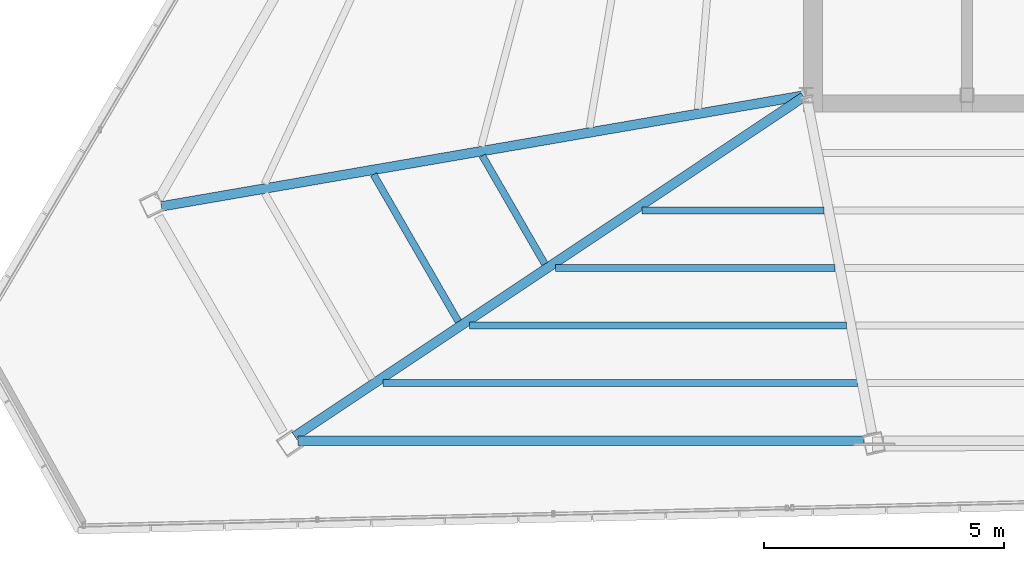
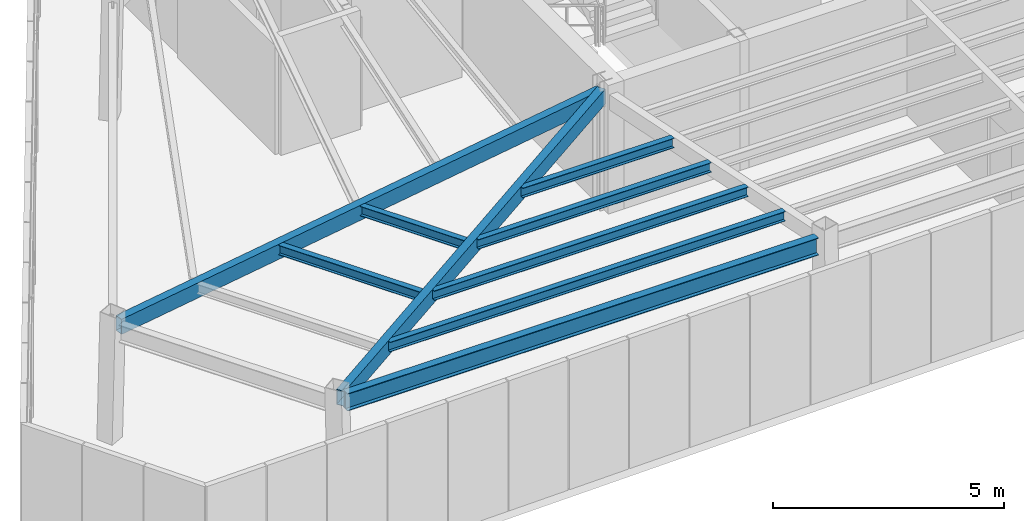
# One storey, part 6 of 44: 9 beams.
"""IFC4 building model written with IfcOpenShell, lengths in metres."""

from ifc_helpers import new_model, si_unit, direction, frame, origin, origin_2d, place, context, subcontext, project, spatial, hollow_rectangle, i_section, extrude, source, transform, mapped, material, material_profile, profile_set, type_object, type_shapes, element, save


model = new_model("IFC4")

# Units and contexts
model_context = context("Model", 3, precision=1e-05, world=origin(), true_north=direction((0.0, 1.0)))
body_context = subcontext(model_context, "Body", "Model", "MODEL_VIEW")
ifc_project = project(units=[si_unit("LENGTHUNIT", "METRE"), si_unit("AREAUNIT", "SQUARE_METRE"), si_unit("VOLUMEUNIT", "CUBIC_METRE"), si_unit("PLANEANGLEUNIT", "RADIAN"), si_unit("MASSUNIT", "GRAM", prefix="KILO")], contexts=[model_context])

# Site, building, storey
site_placement = place(None, origin())
site = spatial("IfcSite", under=ifc_project, at=site_placement, CompositionType="ELEMENT")
building_placement = place(site_placement, origin())
building = spatial("IfcBuilding", under=site, at=building_placement, Name="Caelisora Broadcast Tower", CompositionType="ELEMENT")
storey_placement = place(building_placement, frame((0.0, 0.0, 296.60009765625)))
storey = spatial("IfcBuildingStorey", under=building, at=storey_placement, Name="L78", CompositionType="ELEMENT", Elevation=296.60009765625)

# Beams
ifc_material_1 = material(Name="Steel Grade 350 (AS/NZS 3679.1)", Category="steel")
ifc_material_profile_1 = material_profile(ifc_material_1, i_section(OverallWidth=0.19091796875, OverallDepth=0.46044921875, WebThickness=0.010009765625, FlangeThickness=0.01611328125, at=origin_2d()), Name="Steel Grade 350 (AS/NZS 3679.1)")
ifc_profile_set_1 = profile_set([ifc_material_profile_1], Name="Steel Grade 350 (AS/NZS 3679.1)")
beam_type_1 = type_object("IfcBeamType", Name="PG06", PredefinedType="BEAM", material=ifc_profile_set_1)
shared_shape_1 = source(origin(), body_context, "Body", "SweptSolid", [
    extrude(i_section(OverallWidth=0.19091796875, OverallDepth=0.46044921875, WebThickness=0.010009765625, FlangeThickness=0.01611328125, at=origin_2d()), origin(), (0.0, 0.0, 1.0), 11.78466796875),
])
type_shapes(beam_type_1, [shared_shape_1])
beam_1_placement = place(storey_placement, frame((19.906982421875, 10.195556640625, 2.919677734375), z_axis=(1.0, 0.0, 0.0), x_axis=(0.0, 1.0, 0.0)))
element("IfcBeam", 1, at=beam_1_placement, inside=storey, type_object=beam_type_1, Name="L78 beam PG06", PredefinedType="BEAM", context=body_context, shape_type="MappedRepresentation", body=[
    mapped(shared_shape_1, transform((0.0, 0.0, 0.0), scale=1.0)),
])
ifc_material_2 = material(Name="Steel Grade 350 (AS/NZS 1163 C350L0)", Category="steel")
ifc_material_profile_2 = material_profile(ifc_material_2, hollow_rectangle(XDim=0.199951171875, YDim=0.39990234375, WallThickness=0.012451171875, at=origin_2d()), Name="Steel Grade 350 (AS/NZS 1163 C350L0)")
ifc_profile_set_2 = profile_set([ifc_material_profile_2], Name="Steel Grade 350 (AS/NZS 1163 C350L0)")
beam_type_2 = type_object("IfcBeamType", Name="PG07", PredefinedType="BEAM", material=ifc_profile_set_2)
shared_shape_2 = source(origin(), body_context, "Body", "SweptSolid", [
    extrude(hollow_rectangle(XDim=0.199951171875, YDim=0.39990234375, WallThickness=0.012451171875, at=origin_2d()), origin(), (0.0, 0.0, 1.0), 13.578369140625),
])
beam_2_placement = place(storey_placement, frame((30.44091796875, 17.389892578125, 2.949951171875), z_axis=(-0.985447032696, -0.169982780746, 0.0), x_axis=(0.169982780746, -0.985447032696, 0.0)))
element("IfcBeam", 2, at=beam_2_placement, inside=storey, type_object=beam_type_2, Name="L78 beam PG07", PredefinedType="BEAM", context=body_context, shape_type="MappedRepresentation", body=[
    mapped(shared_shape_2, transform((0.0, 0.0, 0.0), scale=1.0)),
])
shared_shape_3 = source(origin(), body_context, "Body", "SweptSolid", [
    extrude(hollow_rectangle(XDim=0.199951171875, YDim=0.39990234375, WallThickness=0.012451171875, at=origin_2d()), origin(), (0.0, 0.0, 1.0), 12.75537109375),
])
type_shapes(beam_type_2, [shared_shape_2, shared_shape_3])
beam_3_placement = place(storey_placement, frame((30.4501953125, 17.36669921875, 2.949951171875), z_axis=(-0.831923653658, -0.554890110277, 0.0), x_axis=(0.554890110277, -0.831923653658, 0.0)))
element("IfcBeam", 3, at=beam_3_placement, inside=storey, type_object=beam_type_2, Name="L78 beam PG07", PredefinedType="BEAM", context=body_context, shape_type="MappedRepresentation", body=[
    mapped(shared_shape_3, transform((0.0, 0.0, 0.0), scale=1.0)),
])
ifc_material_profile_3 = material_profile(ifc_material_1, i_section(OverallWidth=0.14599609375, OverallDepth=0.256103515625, WebThickness=0.00634765625, FlangeThickness=0.010986328125, at=origin_2d()), Name="Steel Grade 350 (AS/NZS 3679.1)")
ifc_profile_set_3 = profile_set([ifc_material_profile_3], Name="Steel Grade 350 (AS/NZS 3679.1)")
beam_type_3 = type_object("IfcBeamType", Name="SB04", PredefinedType="JOIST", material=ifc_profile_set_3)
shared_shape_4 = source(origin(), body_context, "Body", "SweptSolid", [
    extrude(i_section(OverallWidth=0.14599609375, OverallDepth=0.256103515625, WebThickness=0.00634765625, FlangeThickness=0.010986328125, at=origin_2d()), origin(), (0.0, 0.0, 1.0), 2.603759765625),
])
beam_4_placement = place(storey_placement, frame((23.7490234375, 16.13671875, 3.021728515625), z_axis=(0.499971370958, -0.866041932139, 0.0), x_axis=(0.866041932139, 0.499971370958, 0.0)))
element("IfcBeam", 4, at=beam_4_placement, inside=storey, type_object=beam_type_3, Name="L78 beam SB04", PredefinedType="JOIST", context=body_context, shape_type="MappedRepresentation", body=[
    mapped(shared_shape_4, transform((0.0, 0.0, 0.0), scale=1.0)),
])
shared_shape_5 = source(origin(), body_context, "Body", "SweptSolid", [
    extrude(i_section(OverallWidth=0.14599609375, OverallDepth=0.256103515625, WebThickness=0.00634765625, FlangeThickness=0.010986328125, at=origin_2d()), origin(), (0.0, 0.0, 1.0), 3.53857421875),
])
beam_5_placement = place(storey_placement, frame((21.4814453125, 15.74560546875, 3.021728515625), z_axis=(0.500005144645, -0.866022433502, 0.0), x_axis=(0.866022433502, 0.500005144645, 0.0)))
element("IfcBeam", 5, at=beam_5_placement, inside=storey, type_object=beam_type_3, Name="L78 beam SB04", PredefinedType="JOIST", context=body_context, shape_type="MappedRepresentation", body=[
    mapped(shared_shape_5, transform((0.0, 0.0, 0.0), scale=1.0)),
])
shared_shape_6 = source(origin(), body_context, "Body", "SweptSolid", [
    extrude(i_section(OverallWidth=0.14599609375, OverallDepth=0.256103515625, WebThickness=0.00634765625, FlangeThickness=0.010986328125, at=origin_2d()), origin(), (0.0, 0.0, 1.0), 3.790771484375),
])
beam_6_placement = place(storey_placement, frame((27.076904296875, 14.99853515625, 3.021728515625), z_axis=(1.0, 0.0, 0.0), x_axis=(0.0, 1.0, 0.0)))
element("IfcBeam", 6, at=beam_6_placement, inside=storey, type_object=beam_type_3, Name="L78 beam SB04", PredefinedType="JOIST", context=body_context, shape_type="MappedRepresentation", body=[
    mapped(shared_shape_6, transform((0.0, 0.0, 0.0), scale=1.0)),
])
shared_shape_7 = source(origin(), body_context, "Body", "SweptSolid", [
    extrude(i_section(OverallWidth=0.14599609375, OverallDepth=0.256103515625, WebThickness=0.00634765625, FlangeThickness=0.010986328125, at=origin_2d()), origin(), (0.0, 0.0, 1.0), 5.82421875),
])
beam_7_placement = place(storey_placement, frame((25.276611328125, 13.797607421875, 3.021728515625), z_axis=(1.0, 0.0, 0.0), x_axis=(0.0, 1.0, 0.0)))
element("IfcBeam", 7, at=beam_7_placement, inside=storey, type_object=beam_type_3, Name="L78 beam SB04", PredefinedType="JOIST", context=body_context, shape_type="MappedRepresentation", body=[
    mapped(shared_shape_7, transform((0.0, 0.0, 0.0), scale=1.0)),
])
shared_shape_8 = source(origin(), body_context, "Body", "SweptSolid", [
    extrude(i_section(OverallWidth=0.14599609375, OverallDepth=0.256103515625, WebThickness=0.00634765625, FlangeThickness=0.010986328125, at=origin_2d()), origin(), (0.0, 0.0, 1.0), 7.857666015625),
])
beam_8_placement = place(storey_placement, frame((23.4765625, 12.596923828125, 3.021728515625), z_axis=(1.0, 0.0, 0.0), x_axis=(0.0, 1.0, 0.0)))
element("IfcBeam", 8, at=beam_8_placement, inside=storey, type_object=beam_type_3, Name="L78 beam SB04", PredefinedType="JOIST", context=body_context, shape_type="MappedRepresentation", body=[
    mapped(shared_shape_8, transform((0.0, 0.0, 0.0), scale=1.0)),
])
shared_shape_9 = source(origin(), body_context, "Body", "SweptSolid", [
    extrude(i_section(OverallWidth=0.14599609375, OverallDepth=0.256103515625, WebThickness=0.00634765625, FlangeThickness=0.010986328125, at=origin_2d()), origin(), (0.0, 0.0, 1.0), 9.89111328125),
])
type_shapes(beam_type_3, [shared_shape_4, shared_shape_5, shared_shape_6, shared_shape_7, shared_shape_8, shared_shape_9])
beam_9_placement = place(storey_placement, frame((21.67626953125, 11.396240234375, 3.021728515625), z_axis=(1.0, 0.0, 0.0), x_axis=(0.0, 1.0, 0.0)))
element("IfcBeam", 9, at=beam_9_placement, inside=storey, type_object=beam_type_3, Name="L78 beam SB04", PredefinedType="JOIST", context=body_context, shape_type="MappedRepresentation", body=[
    mapped(shared_shape_9, transform((0.0, 0.0, 0.0), scale=1.0)),
])

save(model, "model.ifc")
